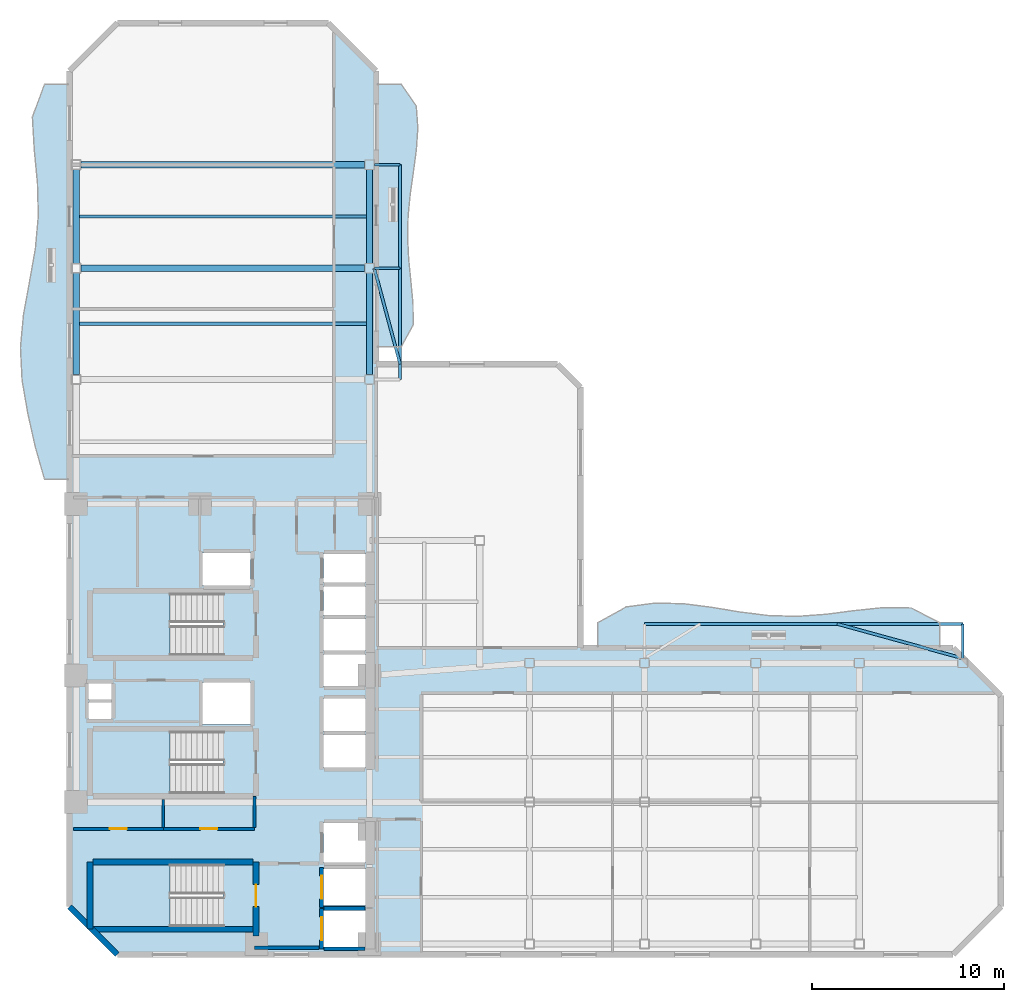
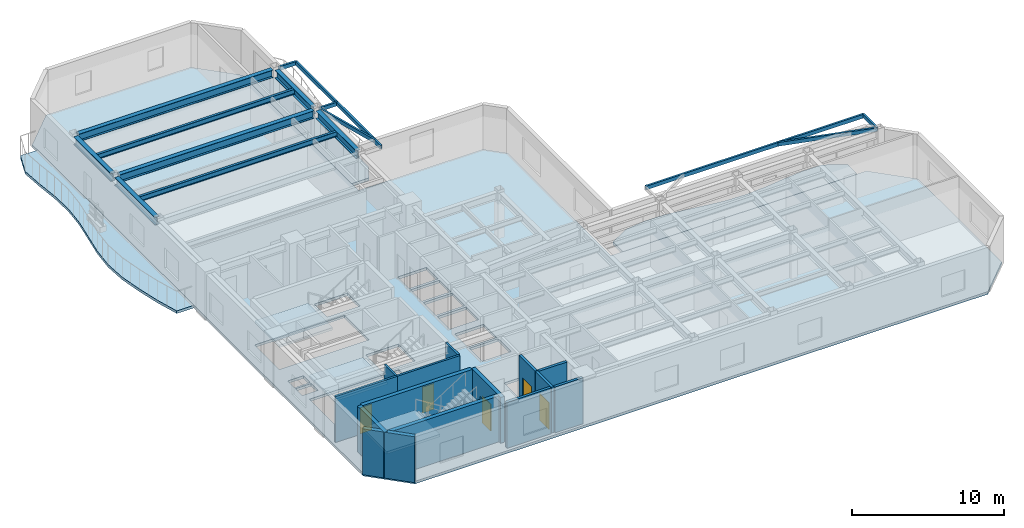
# One storey, part 2 of 9: 16 beams, 14 walls, 7 slabs, 5 doors, 5 openings, 3 elements without a shape of their own.
"""IFC4 building model written with IfcOpenShell, lengths in metres."""

from ifc_helpers import new_model, si_unit, direction, frame, frame_2d, origin, origin_2d, place, context, subcontext, project, spatial, polyline, rectangle, hollow_rectangle, i_section, outline, extrude, material, layer, layer_set, material_profile, profile_set, type_object, element, fill, aggregate, save


model = new_model("IFC4")

# Units and contexts
model_context = context("Model", 3, precision=1e-05, world=origin(), true_north=direction((0.0, 1.0)))
body_context = subcontext(model_context, "Body", "Model", "MODEL_VIEW")
ifc_project = project(units=[si_unit("LENGTHUNIT", "METRE"), si_unit("AREAUNIT", "SQUARE_METRE"), si_unit("VOLUMEUNIT", "CUBIC_METRE"), si_unit("PLANEANGLEUNIT", "RADIAN"), si_unit("MASSUNIT", "GRAM", prefix="KILO")], contexts=[model_context])

# Site, building, storey
site_placement = place(None, origin())
site = spatial("IfcSite", under=ifc_project, at=site_placement, CompositionType="ELEMENT")
building_placement = place(site_placement, origin())
building = spatial("IfcBuilding", under=site, at=building_placement, Name="Mawjaban Terraces University", CompositionType="ELEMENT")
storey_placement = place(building_placement, frame((0.0, 0.0, 111.199951171875)))
storey = spatial("IfcBuildingStorey", under=building, at=storey_placement, Name="L26", CompositionType="ELEMENT", Elevation=111.199951171875)

# Beams
ifc_material_1 = material(Name="Steel EN 10210-1 S355J2H", Category="steel")
ifc_material_profile_1 = material_profile(ifc_material_1, hollow_rectangle(XDim=0.14990234375, YDim=0.300048828125, WallThickness=0.012451171875, at=origin_2d()), Name="RHS300X150X12.5")
ifc_profile_set_1 = profile_set([ifc_material_profile_1], Name="Steel EN 10210-1 S355J2H")
beam_type_1 = type_object("IfcBeamType", Name="BalconyCantileverSpandrel_RHS", PredefinedType="SPANDREL", material=ifc_profile_set_1)
beam_1_placement = place(storey_placement, frame((68.60009765625, 15.449951171875, 3.5400390625), z_axis=(0.0, 1.0, 0.0), x_axis=(-1.0, 0.0, 0.0)))
element("IfcBeam", 1, at=beam_1_placement, inside=storey, type_object=beam_type_1, Name="L26 Exterior Outrigger BAL-L27-N.2", PredefinedType="SPANDREL", context=body_context, shape_type="SweptSolid", body=[
    extrude(hollow_rectangle(XDim=0.14990234375, YDim=0.300048828125, WallThickness=0.012451171875, at=origin_2d()), origin(), (0.0, 0.0, 1.0), 1.800048828125),
])
beam_2_placement = place(storey_placement, frame((52.0, 17.25, 3.5400390625), z_axis=(1.0, 0.0, 0.0), x_axis=(0.0, 1.0, 0.0)))
element("IfcBeam", 2, at=beam_2_placement, inside=storey, type_object=beam_type_1, Name="L26 Exterior Edge Spandrel BAL-L27-N", PredefinedType="SPANDREL", context=body_context, shape_type="SweptSolid", body=[
    extrude(hollow_rectangle(XDim=0.14990234375, YDim=0.300048828125, WallThickness=0.012451171875, at=origin_2d()), origin(), (0.0, 0.0, 1.0), 16.60009765625),
])
beam_3_placement = place(storey_placement, frame((68.60009765625, 15.449951171875, 3.5400390625), z_axis=(-0.964281358669, 0.264880088576, 0.0), x_axis=(-0.264880088576, -0.964281358669, 0.0)))
element("IfcBeam", 3, at=beam_3_placement, inside=storey, type_object=beam_type_1, Name="L26 Exterior Diagonal Strut BAL-L27-N.2", PredefinedType="SPANDREL", context=body_context, shape_type="SweptSolid", body=[
    extrude(hollow_rectangle(XDim=0.14990234375, YDim=0.300048828125, WallThickness=0.012451171875, at=origin_2d()), origin(), (0.0, 0.0, 1.0), 6.795654296875),
])
for number, where, z_axis, x_axis, name in (
    (4, (37.89990234375, 35.800048828125, 3.5400390625), (1.0, 0.0, 0.0), (0.0, 1.0, 0.0), "L26 Exterior Outrigger BAL-L27-E.1"),
    (5, (37.89990234375, 41.199951171875, 3.5400390625), (1.0, 0.0, 0.0), (0.0, 1.0, 0.0), "L26 Exterior Outrigger BAL-L27-E.2"),
):
    element("IfcBeam", number, at=place(storey_placement, frame(where, z_axis=z_axis, x_axis=x_axis)), inside=storey, type_object=beam_type_1, Name=name, PredefinedType="SPANDREL", context=body_context, shape_type="SweptSolid", body=[
        extrude(hollow_rectangle(XDim=0.14990234375, YDim=0.300048828125, WallThickness=0.012451171875, at=origin_2d()), origin(), (0.0, 0.0, 1.0), 1.35009765625),
    ])
beam_4_placement = place(storey_placement, frame((39.25, 35.800048828125, 3.5400390625), z_axis=(0.0, 1.0, 0.0), x_axis=(-1.0, 0.0, 0.0)))
element("IfcBeam", 6, at=beam_4_placement, inside=storey, type_object=beam_type_1, Name="L26 Exterior Edge Spandrel BAL-L27-E", PredefinedType="SPANDREL", context=body_context, shape_type="SweptSolid", body=[
    extrude(hollow_rectangle(XDim=0.14990234375, YDim=0.300048828125, WallThickness=0.012451171875, at=origin_2d()), origin(), (0.0, 0.0, 1.0), 5.39990234375),
])
beam_5_placement = place(storey_placement, frame((39.25, 30.0, 3.5400390625), z_axis=(0.0, 1.0, 0.0), x_axis=(-1.0, 0.0, 0.0)))
element("IfcBeam", 7, at=beam_5_placement, inside=storey, type_object=beam_type_1, Name="L26 Exterior Edge Spandrel TER-L27-CLIMB", PredefinedType="SPANDREL", context=body_context, shape_type="SweptSolid", body=[
    extrude(hollow_rectangle(XDim=0.14990234375, YDim=0.300048828125, WallThickness=0.012451171875, at=origin_2d()), origin(), (0.0, 0.0, 1.0), 5.800048828125),
])
beam_6_placement = place(storey_placement, frame((37.89990234375, 35.800048828125, 3.5400390625), z_axis=(0.260683426993, -0.965424337217, 0.0), x_axis=(0.965424337217, 0.260683426993, 0.0)))
element("IfcBeam", 8, at=beam_6_placement, inside=storey, type_object=beam_type_1, Name="L26 Exterior Diagonal Strut TER-L27-CLIMB.2", PredefinedType="SPANDREL", context=body_context, shape_type="SweptSolid", body=[
    extrude(hollow_rectangle(XDim=0.14990234375, YDim=0.300048828125, WallThickness=0.012451171875, at=origin_2d()), origin(), (0.0, 0.0, 1.0), 5.178955078125),
])
ifc_material_2 = material(Name="Steel ASTM A572 Grade 50", Category="steel")
ifc_material_profile_2 = material_profile(ifc_material_2, i_section(OverallWidth=0.324951171875, OverallDepth=0.615966796875, WebThickness=0.013916015625, FlangeThickness=0.021484375, at=origin_2d()), Name="W610X174")
ifc_profile_set_2 = profile_set([ifc_material_profile_2], Name="Steel ASTM A572 Grade 50")
beam_type_2 = type_object("IfcBeamType", Name="Beam_B_W610X174", PredefinedType="BEAM", material=ifc_profile_set_2)
for number, where, z_axis, x_axis, name in (
    (9, (22.60009765625, 35.800048828125, 3.382080078125), (1.0, 0.0, 0.0), (0.0, 1.0, 0.0), "L26 Beam BM-L26-EW-15"),
    (10, (22.60009765625, 41.199951171875, 3.382080078125), (1.0, 0.0, 0.0), (0.0, 1.0, 0.0), "L26 Beam BM-L26-EW-16"),
):
    element("IfcBeam", number, at=place(storey_placement, frame(where, z_axis=z_axis, x_axis=x_axis)), inside=storey, type_object=beam_type_2, Name=name, PredefinedType="BEAM", context=body_context, shape_type="SweptSolid", body=[
        extrude(i_section(OverallWidth=0.324951171875, OverallDepth=0.615966796875, WebThickness=0.013916015625, FlangeThickness=0.021484375, at=origin_2d()), origin(), (0.0, 0.0, 1.0), 14.7998046875),
    ])
beam_7_placement = place(storey_placement, frame((22.35009765625, 30.25, 3.382080078125), z_axis=(0.0, 1.0, 0.0), x_axis=(-1.0, 0.0, 0.0)))
element("IfcBeam", 11, at=beam_7_placement, inside=storey, type_object=beam_type_2, Name="L26 Beam BM-L26-NS-04", PredefinedType="BEAM", context=body_context, shape_type="SweptSolid", body=[
    extrude(i_section(OverallWidth=0.324951171875, OverallDepth=0.615966796875, WebThickness=0.013916015625, FlangeThickness=0.021484375, at=origin_2d()), origin(), (0.0, 0.0, 1.0), 5.300048828125),
])
beam_8_placement = place(storey_placement, frame((22.35009765625, 36.050048828125, 3.382080078125), z_axis=(0.0, 1.0, 0.0), x_axis=(-1.0, 0.0, 0.0)))
element("IfcBeam", 12, at=beam_8_placement, inside=storey, type_object=beam_type_2, Name="L26 Beam BM-L26-NS-05", PredefinedType="BEAM", context=body_context, shape_type="SweptSolid", body=[
    extrude(i_section(OverallWidth=0.324951171875, OverallDepth=0.615966796875, WebThickness=0.013916015625, FlangeThickness=0.021484375, at=origin_2d()), origin(), (0.0, 0.0, 1.0), 4.89990234375),
])
beam_9_placement = place(storey_placement, frame((37.64990234375, 30.25, 3.382080078125), z_axis=(0.0, 1.0, 0.0), x_axis=(-1.0, 0.0, 0.0)))
element("IfcBeam", 13, at=beam_9_placement, inside=storey, type_object=beam_type_2, Name="L26 Beam BM-L26-NS-10", PredefinedType="BEAM", context=body_context, shape_type="SweptSolid", body=[
    extrude(i_section(OverallWidth=0.324951171875, OverallDepth=0.615966796875, WebThickness=0.013916015625, FlangeThickness=0.021484375, at=origin_2d()), origin(), (0.0, 0.0, 1.0), 5.300048828125),
])
beam_10_placement = place(storey_placement, frame((37.64990234375, 36.050048828125, 3.382080078125), z_axis=(0.0, 1.0, 0.0), x_axis=(-1.0, 0.0, 0.0)))
element("IfcBeam", 14, at=beam_10_placement, inside=storey, type_object=beam_type_2, Name="L26 Beam BM-L26-NS-11", PredefinedType="BEAM", context=body_context, shape_type="SweptSolid", body=[
    extrude(i_section(OverallWidth=0.324951171875, OverallDepth=0.615966796875, WebThickness=0.013916015625, FlangeThickness=0.021484375, at=origin_2d()), origin(), (0.0, 0.0, 1.0), 4.89990234375),
])
ifc_material_profile_3 = material_profile(ifc_material_2, i_section(OverallWidth=0.179931640625, OverallDepth=0.4130859375, WebThickness=0.009765625, FlangeThickness=0.01611328125, at=origin_2d()), Name="W410X74")
ifc_profile_set_3 = profile_set([ifc_material_profile_3], Name="Steel ASTM A572 Grade 50")
beam_type_3 = type_object("IfcBeamType", Name="Beam_J_W410X74", PredefinedType="JOIST", material=ifc_profile_set_3)
for number, where, z_axis, x_axis, name in (
    (15, (22.429931640625, 32.89990234375, 3.483154296875), (1.0, 0.0, 0.0), (0.0, 1.0, 0.0), "L26 Composite Joist JST-L26-19"),
    (16, (22.429931640625, 38.5, 3.483154296875), (1.0, 0.0, 0.0), (0.0, 1.0, 0.0), "L26 Composite Joist JST-L26-20"),
):
    element("IfcBeam", number, at=place(storey_placement, frame(where, z_axis=z_axis, x_axis=x_axis)), inside=storey, type_object=beam_type_3, Name=name, PredefinedType="JOIST", context=body_context, shape_type="SweptSolid", body=[
        extrude(i_section(OverallWidth=0.179931640625, OverallDepth=0.4130859375, WebThickness=0.009765625, FlangeThickness=0.01611328125, at=origin_2d()), origin(), (0.0, 0.0, 1.0), 15.14013671875),
    ])

# Slabs
ifc_material_3 = material(Name="Concrete C40/50", Category="concrete")
ifc_layer_1 = layer(ifc_material_3, 0.2099609375)
ifc_layer_set_1 = layer_set([ifc_layer_1], Name="Concrete C40/50")
slab_type_1 = type_object("IfcSlabType", Name="BalconySlab_210_Ext", PredefinedType="FLOOR", material=ifc_layer_set_1)
slab_1_placement = place(storey_placement, frame((0.0, 0.0, -0.2099609375)))
element("IfcSlab", 17, at=slab_1_placement, inside=storey, type_object=slab_type_1, Name="L26 Planted Balcony Slab west", PredefinedType="FLOOR", context=body_context, shape_type="SweptSolid", body=[
    extrude(outline(polyline([(22.010009765625, 24.800048828125), (22.010009765625, 45.39990234375), (20.699951171875, 45.39990234375), (20.06689453125, 43.68310546875), (20.166015625, 41.967041015625), (20.330078125, 40.25), (20.3759765625, 38.532958984375), (20.221923828125, 36.81689453125), (19.916015625, 35.10009765625), (19.60205078125, 33.383056640625), (19.444091796875, 31.6669921875), (19.529052734375, 29.949951171875), (19.825927734375, 28.23291015625), (20.208984375, 26.51708984375), (20.699951171875, 24.800048828125), (22.010009765625, 24.800048828125)])), origin(), (0.0, 0.0, 1.0), 0.2099609375),
])
slab_2_placement = place(storey_placement, frame((0.0, 0.0, -0.2099609375)))
element("IfcSlab", 18, at=slab_2_placement, inside=storey, type_object=slab_type_1, Name="L26 Planted Balcony Slab inner_north", PredefinedType="FLOOR", context=body_context, shape_type="SweptSolid", body=[
    extrude(outline(polyline([(49.555908203125, 15.989990234375), (67.39990234375, 15.989990234375), (67.39990234375, 17.300048828125), (65.9130859375, 18.077880859375), (64.426025390625, 18.094970703125), (62.93896484375, 17.93994140625), (61.451904296875, 17.748046875), (59.965087890625, 17.639892578125), (58.47802734375, 17.681884765625), (56.990966796875, 17.865966796875), (55.50390625, 18.112060546875), (54.01708984375, 18.302001953125), (52.530029296875, 18.330078125), (51.04296875, 18.135009765625), (49.555908203125, 17.300048828125), (49.555908203125, 15.989990234375)])), origin(), (0.0, 0.0, 1.0), 0.2099609375),
])
slab_3_placement = place(storey_placement, frame((0.0, 0.0, -0.2099609375)))
element("IfcSlab", 19, at=slab_3_placement, inside=storey, type_object=slab_type_1, Name="L26 Planted Balcony Slab inner_east", PredefinedType="FLOOR", context=body_context, shape_type="SweptSolid", body=[
    extrude(outline(polyline([(39.300048828125, 31.699951171875), (39.929931640625, 32.842041015625), (39.91796875, 33.98291015625), (39.80908203125, 35.125), (39.695068359375, 36.26708984375), (39.636962890625, 37.407958984375), (39.6650390625, 38.550048828125), (39.779052734375, 39.69189453125), (39.94189453125, 40.8330078125), (40.095947265625, 41.97509765625), (40.172119140625, 43.116943359375), (40.092041015625, 44.258056640625), (39.300048828125, 45.39990234375), (37.989990234375, 45.39990234375), (37.989990234375, 31.699951171875), (39.300048828125, 31.699951171875)])), origin(), (0.0, 0.0, 1.0), 0.2099609375),
])
ifc_layer_2 = layer(ifc_material_3, 0.2099609375)
ifc_layer_set_2 = layer_set([ifc_layer_2], Name="Concrete C40/50")
slab_type_2 = type_object("IfcSlabType", Name="CompositeSlab_210", PredefinedType="FLOOR", material=ifc_layer_set_2)
slab_4_placement = place(storey_placement, frame((0.0, 0.0, -0.2099609375)))
element("IfcSlab", 20, at=slab_4_placement, inside=storey, type_object=slab_type_2, Name="L26 Primary Structural Slab", PredefinedType="FLOOR", context=body_context, shape_type="SweptSolid", body=[
    extrude(outline(polyline([(24.5, 0.0), (68.10009765625, 0.0), (70.60009765625, 2.5), (70.60009765625, 13.5), (68.10009765625, 16.0), (48.656005859375, 16.0), (48.656005859375, 29.60009765625), (47.4560546875, 30.800048828125), (38.0, 30.800048828125), (38.0, 46.10009765625), (35.5, 48.60009765625), (24.5, 48.60009765625), (22.0, 46.10009765625), (22.0, 2.5), (24.5, 0.0)]), holes=[polyline([(30.014892578125, 4.699951171875), (23.199951171875, 4.699951171875), (23.199951171875, 1.449951171875), (30.014892578125, 1.449951171875), (30.014892578125, 4.699951171875)]), polyline([(30.014892578125, 18.85009765625), (23.199951171875, 18.85009765625), (23.199951171875, 15.60009765625), (30.014892578125, 15.60009765625), (30.014892578125, 18.85009765625)]), polyline([(30.014892578125, 11.64990234375), (23.199951171875, 11.64990234375), (23.199951171875, 8.39990234375), (30.014892578125, 8.39990234375), (30.014892578125, 11.64990234375)]), polyline([(35.25, 0.39990234375), (37.449951171875, 0.39990234375), (37.449951171875, 2.300048828125), (35.25, 2.300048828125), (35.25, 0.39990234375)]), polyline([(35.25, 2.550048828125), (37.449951171875, 2.550048828125), (37.449951171875, 4.449951171875), (35.25, 4.449951171875), (35.25, 2.550048828125)]), polyline([(35.25, 4.800048828125), (37.449951171875, 4.800048828125), (37.449951171875, 6.85009765625), (35.25, 6.85009765625), (35.25, 4.800048828125)]), polyline([(35.25, 9.75), (37.449951171875, 9.75), (37.449951171875, 11.449951171875), (35.25, 11.449951171875), (35.25, 9.75)]), polyline([(35.25, 11.64990234375), (37.449951171875, 11.64990234375), (37.449951171875, 13.35009765625), (35.25, 13.35009765625), (35.25, 11.64990234375)]), polyline([(28.949951171875, 12.0), (31.449951171875, 12.0), (31.449951171875, 14.199951171875), (28.949951171875, 14.199951171875), (28.949951171875, 12.0)]), polyline([(35.25, 14.0), (37.449951171875, 14.0), (37.449951171875, 15.64990234375), (35.25, 15.64990234375), (35.25, 14.0)]), polyline([(35.25, 15.85009765625), (37.449951171875, 15.85009765625), (37.449951171875, 17.5), (35.25, 17.5), (35.25, 15.85009765625)]), polyline([(35.25, 17.699951171875), (37.449951171875, 17.699951171875), (37.449951171875, 19.199951171875), (35.25, 19.199951171875), (35.25, 17.699951171875)]), polyline([(35.25, 19.39990234375), (37.449951171875, 19.39990234375), (37.449951171875, 20.89990234375), (35.25, 20.89990234375), (35.25, 19.39990234375)]), polyline([(28.949951171875, 19.25), (31.449951171875, 19.25), (31.449951171875, 20.949951171875), (28.949951171875, 20.949951171875), (28.949951171875, 19.25)]), polyline([(23.0, 12.25), (24.199951171875, 12.25), (24.199951171875, 13.14990234375), (23.0, 13.14990234375), (23.0, 12.25)]), polyline([(23.0, 13.300048828125), (24.199951171875, 13.300048828125), (24.199951171875, 14.179931640625), (23.0, 14.179931640625), (23.0, 13.300048828125)])]), origin(), (0.0, 0.0, 1.0), 0.2099609375),
])

# Stair, slab
stair_type = type_object("IfcStairType", Name="Stair_Core1550_H39", PredefinedType="HALF_TURN_STAIR", material=ifc_material_3)
stair_1_placement = place(storey_placement, origin())
stair_1 = element("IfcStair", 21, at=stair_1_placement, inside=storey, type_object=stair_type, Name="L26 Core Exit Stair 1", PredefinedType="HALF_TURN_STAIR")
ifc_layer_3 = layer(ifc_material_3, 0.199951171875)
ifc_layer_set_3 = layer_set([ifc_layer_3], Name="Concrete C40/50")
slab_type_3 = type_object("IfcSlabType", Name="StairLandingSlab_200", PredefinedType="LANDING", material=ifc_layer_set_3)
slab_5_placement = place(storey_placement, frame((0.0, 0.0, 1.75)))
slab_5 = element("IfcSlab", 22, at=slab_5_placement, type_object=slab_type_3, Name="ST-1 landing 1", PredefinedType="LANDING", context=body_context, shape_type="SweptSolid", body=[
    extrude(outline(polyline([(27.25, 4.699951171875), (23.199951171875, 4.699951171875), (23.199951171875, 1.449951171875), (27.25, 1.449951171875), (27.25, 4.699951171875)])), origin(), (0.0, 0.0, 1.0), 0.199951171875),
])
aggregate(stair_1, [slab_5])

stair_2_placement = place(storey_placement, origin())
stair_2 = element("IfcStair", 23, at=stair_2_placement, inside=storey, type_object=stair_type, Name="L26 Core Exit Stair 2", PredefinedType="HALF_TURN_STAIR")
slab_6_placement = place(storey_placement, frame((0.0, 0.0, 1.75)))
slab_6 = element("IfcSlab", 24, at=slab_6_placement, type_object=slab_type_3, Name="ST-2 landing 1", PredefinedType="LANDING", context=body_context, shape_type="SweptSolid", body=[
    extrude(outline(polyline([(27.25, 18.85009765625), (23.199951171875, 18.85009765625), (23.199951171875, 15.60009765625), (27.25, 15.60009765625), (27.25, 18.85009765625)])), origin(), (0.0, 0.0, 1.0), 0.199951171875),
])
aggregate(stair_2, [slab_6])

stair_3_placement = place(storey_placement, origin())
stair_3 = element("IfcStair", 25, at=stair_3_placement, inside=storey, type_object=stair_type, Name="L26 Core Exit Stair 3", PredefinedType="HALF_TURN_STAIR")
slab_7_placement = place(storey_placement, frame((0.0, 0.0, 1.75)))
slab_7 = element("IfcSlab", 26, at=slab_7_placement, type_object=slab_type_3, Name="ST-3 landing 1", PredefinedType="LANDING", context=body_context, shape_type="SweptSolid", body=[
    extrude(outline(polyline([(27.25, 11.64990234375), (23.199951171875, 11.64990234375), (23.199951171875, 8.39990234375), (27.25, 8.39990234375), (27.25, 11.64990234375)])), origin(), (0.0, 0.0, 1.0), 0.199951171875),
])
aggregate(stair_3, [slab_7])

# Wall, opening, door
ifc_material_4 = material(Name="Fire-rated gypsum board on steel stud", Category="steel")
ifc_layer_4 = layer(ifc_material_4, 0.159912109375)
ifc_layer_set_4 = layer_set([ifc_layer_4], Name="Fire-rated gypsum board on steel stud")
wall_type_1 = type_object("IfcWallType", Name="CorridorPartition_160", PredefinedType="PARTITIONING", material=ifc_layer_set_4)
wall_1_placement = place(storey_placement, frame((26.89990234375, 6.550048828125, 0.0), z_axis=(0.0, 0.0, 1.0), x_axis=(-1.0, 0.0, 0.0)))
wall_1 = element("IfcWall", 27, at=wall_1_placement, inside=storey, type_object=wall_type_1, Name="L26 Core Washroom Lobby Partition 4", PredefinedType="PARTITIONING", context=body_context, shape_type="SweptSolid", body=[
    extrude(rectangle(XDim=4.699951171875, YDim=0.159912109375, at=frame_2d((2.35009765625, 0.0))), origin(), (0.0, 0.0, 1.0), 3.68994140625),
])
opening_1_placement = place(wall_1_placement, frame((1.909912109375, 0.0, 0.0)))
opening_1 = element("IfcOpeningElement", 28, at=opening_1_placement, cuts=wall_1, Name="Opening ID-088", PredefinedType="OPENING", context=body_context, shape_type="SweptSolid", body=[
    extrude(rectangle(XDim=0.8798828125, YDim=2.10009765625, at=frame_2d((0.43994140625, 1.050048828125))), frame((0.0, 0.08984375, 0.0), z_axis=(0.0, -1.0, 0.0), x_axis=(1.0, 0.0, 0.0)), (0.0, 0.0, 1.0), 0.179931640625),
])
ifc_material_5 = material(Name="Powder-coated steel frame and solid acoustic timber leaf", Category="steel")
door_type_1 = type_object("IfcDoorType", Name="ToiletDoor_880x2100", OperationType="NOTDEFINED", PredefinedType="DOOR", material=ifc_material_5)
door_1_placement = place(opening_1_placement, origin())
door_1 = element("IfcDoor", 29, at=door_1_placement, inside=storey, type_object=door_type_1, Name="L26 Male Toilet Door", OperationType="SINGLE_SWING_LEFT", OverallHeight=2.10009765625, OverallWidth=0.8798828125, PredefinedType="DOOR", context=body_context, shape_type="SweptSolid", body=[
    extrude(rectangle(XDim=0.8798828125, YDim=2.10009765625, at=frame_2d((0.43994140625, 1.050048828125))), frame((0.0, 0.02490234375, 0.0), z_axis=(0.0, -1.0, 0.0), x_axis=(1.0, 0.0, 0.0)), (0.0, 0.0, 1.0), 0.050048828125),
])
fill(opening_1, door_1)

wall_2_placement = place(storey_placement, frame((31.64990234375, 6.550048828125, 0.0), z_axis=(0.0, 0.0, 1.0), x_axis=(-1.0, 0.0, 0.0)))
wall_2 = element("IfcWall", 30, at=wall_2_placement, inside=storey, type_object=wall_type_1, Name="L26 Core Washroom Lobby Partition 7", PredefinedType="PARTITIONING", context=body_context, shape_type="SweptSolid", body=[
    extrude(rectangle(XDim=4.75, YDim=0.159912109375, at=frame_2d((2.375, 0.0))), origin(), (0.0, 0.0, 1.0), 3.68994140625),
])
opening_2_placement = place(wall_2_placement, frame((1.93505859375, 0.0, 0.0)))
opening_2 = element("IfcOpeningElement", 31, at=opening_2_placement, cuts=wall_2, Name="Opening ID-088", PredefinedType="OPENING", context=body_context, shape_type="SweptSolid", body=[
    extrude(rectangle(XDim=0.8798828125, YDim=2.10009765625, at=frame_2d((0.43994140625, 1.050048828125))), frame((0.0, 0.08984375, 0.0), z_axis=(0.0, -1.0, 0.0), x_axis=(1.0, 0.0, 0.0)), (0.0, 0.0, 1.0), 0.179931640625),
])
door_2_placement = place(opening_2_placement, origin())
door_2 = element("IfcDoor", 32, at=door_2_placement, inside=storey, type_object=door_type_1, Name="L26 Accessible Toilet Door", OperationType="SINGLE_SWING_RIGHT", OverallHeight=2.10009765625, OverallWidth=0.8798828125, PredefinedType="DOOR", context=body_context, shape_type="SweptSolid", body=[
    extrude(rectangle(XDim=0.8798828125, YDim=2.10009765625, at=frame_2d((0.43994140625, 1.050048828125))), frame((0.0, 0.02490234375, 0.0), z_axis=(0.0, -1.0, 0.0), x_axis=(1.0, 0.0, 0.0)), (0.0, 0.0, 1.0), 0.050048828125),
])
fill(opening_2, door_2)

# Walls
wall_3_placement = place(storey_placement, frame((31.64990234375, 8.239990234375, 0.0), z_axis=(0.0, 0.0, 1.0), x_axis=(0.0, -1.0, 0.0)))
element("IfcWall", 33, at=wall_3_placement, inside=storey, type_object=wall_type_1, Name="L26 Passenger Lift Lobby Partition 29", PredefinedType="PARTITIONING", context=body_context, shape_type="SweptSolid", body=[
    extrude(rectangle(XDim=1.614990234375, YDim=0.159912109375, at=frame_2d((0.8076171875, 0.0))), origin(), (0.0, 0.0, 1.0), 3.68994140625),
])
ifc_material_6 = material(Name="Insulated terracotta rainscreen on concrete backup C40/50", Category="masonry")
ifc_layer_5 = layer(ifc_material_6, 0.300048828125)
ifc_layer_set_5 = layer_set([ifc_layer_5], Name="Insulated terracotta rainscreen on concrete backup C40/50")
wall_type_2 = type_object("IfcWallType", Name="ExtTerracottaWall_300", PredefinedType="SOLIDWALL", material=ifc_layer_set_5)
wall_4_placement = place(storey_placement, frame((22.0, 2.5, 0.0), z_axis=(0.0, 0.0, 1.0), x_axis=(0.707106781187, -0.707106781187, 0.0)))
element("IfcWall", 34, at=wall_4_placement, inside=storey, type_object=wall_type_2, Name="L26 Exterior Terracotta Wall 14", PredefinedType="SOLIDWALL", context=body_context, shape_type="SweptSolid", body=[
    extrude(rectangle(XDim=3.53564453125, YDim=0.300048828125, at=frame_2d((1.767822265625, 0.0))), origin(), (0.0, 0.0, 1.0), 3.68994140625),
])

# Wall, opening, door
ifc_layer_6 = layer(ifc_material_3, 0.199951171875)
ifc_layer_set_6 = layer_set([ifc_layer_6], Name="Concrete C40/50")
wall_type_3 = type_object("IfcWallType", Name="FireLobbyWall_200", PredefinedType="SOLIDWALL", material=ifc_layer_set_6)
wall_5_placement = place(storey_placement, frame((35.14990234375, 2.39990234375, 0.0), z_axis=(0.0, 0.0, 1.0), x_axis=(0.0, -1.0, 0.0)))
wall_5 = element("IfcWall", 35, at=wall_5_placement, inside=storey, type_object=wall_type_3, Name="L26 Lift FL-1 Hoistway Wall West", PredefinedType="SOLIDWALL", context=body_context, shape_type="SweptSolid", body=[
    extrude(rectangle(XDim=2.099853515625, YDim=0.199951171875, at=frame_2d((1.0498046875, 0.0))), origin(), (0.0, 0.0, 1.0), 3.68994140625),
])
opening_3_placement = place(wall_5_placement, frame((0.449951171875, 0.0, 0.0)))
opening_3 = element("IfcOpeningElement", 36, at=opening_3_placement, cuts=wall_5, Name="Opening LD-FL-1", PredefinedType="OPENING", context=body_context, shape_type="SweptSolid", body=[
    extrude(rectangle(XDim=1.199951171875, YDim=2.14990234375, at=frame_2d((0.60009765625, 1.074951171875))), frame((0.0, 0.10986328125, 0.0), z_axis=(0.0, -1.0, 0.0), x_axis=(1.0, 0.0, 0.0)), (0.0, 0.0, 1.0), 0.219970703125),
])
ifc_material_7 = material(Name="Powder-coated steel frame and fire-rated steel-faced leaf", Category="steel")
door_type_2 = type_object("IfcDoorType", Name="LiftLandingFSAE_1200x2150", OperationType="NOTDEFINED", PredefinedType="DOOR", material=ifc_material_7)
door_3_placement = place(opening_3_placement, origin())
door_3 = element("IfcDoor", 37, at=door_3_placement, inside=storey, type_object=door_type_2, Name="L26 Lift FL-1 Sliding Landing Door", OperationType="DOUBLE_DOOR_SLIDING", OverallHeight=2.14990234375, OverallWidth=1.199951171875, PredefinedType="DOOR", context=body_context, shape_type="SweptSolid", body=[
    extrude(rectangle(XDim=1.199951171875, YDim=2.14990234375, at=frame_2d((0.60009765625, 1.074951171875))), frame((0.0, 0.02490234375, 0.0), z_axis=(0.0, -1.0, 0.0), x_axis=(1.0, 0.0, 0.0)), (0.0, 0.0, 1.0), 0.050048828125),
])
fill(opening_3, door_3)

# Walls
for number, where, z_axis, x_axis, name in (
    (38, (35.280029296875, 0.300048828125, 0.0), (0.0, 0.0, 1.0), (1.0, 0.0, 0.0), "L26 Lift FL-1 Hoistway Wall South"),
    (39, (37.419921875, 2.39990234375, 0.0), (0.0, 0.0, 1.0), (-1.0, 0.0, 0.0), "L26 Lift FL-1 Hoistway Wall North"),
):
    element("IfcWall", number, at=place(storey_placement, frame(where, z_axis=z_axis, x_axis=x_axis)), inside=storey, type_object=wall_type_3, Name=name, PredefinedType="SOLIDWALL", context=body_context, shape_type="SweptSolid", body=[
        extrude(rectangle(XDim=2.139892578125, YDim=0.199951171875, at=frame_2d((1.06982421875, 0.0))), origin(), (0.0, 0.0, 1.0), 3.68994140625),
    ])

# Wall, opening, door
wall_6_placement = place(storey_placement, frame((35.14990234375, 4.550048828125, 0.0), z_axis=(0.0, 0.0, 1.0), x_axis=(0.0, -1.0, 0.0)))
wall_6 = element("IfcWall", 40, at=wall_6_placement, inside=storey, type_object=wall_type_3, Name="L26 Lift FL-2 Hoistway Wall West", PredefinedType="SOLIDWALL", context=body_context, shape_type="SweptSolid", body=[
    extrude(rectangle(XDim=2.10009765625, YDim=0.199951171875, at=frame_2d((1.050048828125, 0.0))), origin(), (0.0, 0.0, 1.0), 3.68994140625),
])
opening_4_placement = place(wall_6_placement, frame((0.449951171875, 0.0, 0.0)))
opening_4 = element("IfcOpeningElement", 41, at=opening_4_placement, cuts=wall_6, Name="Opening LD-FL-2", PredefinedType="OPENING", context=body_context, shape_type="SweptSolid", body=[
    extrude(rectangle(XDim=1.199951171875, YDim=2.14990234375, at=frame_2d((0.60009765625, 1.074951171875))), frame((0.0, 0.10986328125, 0.0), z_axis=(0.0, -1.0, 0.0), x_axis=(1.0, 0.0, 0.0)), (0.0, 0.0, 1.0), 0.219970703125),
])
door_4_placement = place(opening_4_placement, origin())
door_4 = element("IfcDoor", 42, at=door_4_placement, inside=storey, type_object=door_type_2, Name="L26 Lift FL-2 Sliding Landing Door", OperationType="DOUBLE_DOOR_SLIDING", OverallHeight=2.14990234375, OverallWidth=1.199951171875, PredefinedType="DOOR", context=body_context, shape_type="SweptSolid", body=[
    extrude(rectangle(XDim=1.199951171875, YDim=2.14990234375, at=frame_2d((0.60009765625, 1.074951171875))), frame((0.0, 0.02490234375, 0.0), z_axis=(0.0, -1.0, 0.0), x_axis=(1.0, 0.0, 0.0)), (0.0, 0.0, 1.0), 0.050048828125),
])
fill(opening_4, door_4)

# Walls
wall_7_placement = place(storey_placement, frame((31.64990234375, 0.35009765625, 0.0), z_axis=(0.0, 0.0, 1.0), x_axis=(1.0, 0.0, 0.0)))
element("IfcWall", 43, at=wall_7_placement, inside=storey, type_object=wall_type_3, Name="L26 Firefighting Lift Lobby Partition 6", PredefinedType="SOLIDWALL", context=body_context, shape_type="SweptSolid", body=[
    extrude(rectangle(XDim=3.3701171875, YDim=0.199951171875, at=frame_2d((1.68505859375, 0.0))), origin(), (0.0, 0.0, 1.0), 3.68994140625),
])
ifc_material_8 = material(Name="Concrete C60/75", Category="concrete")
ifc_layer_7 = layer(ifc_material_8, 0.300048828125)
ifc_layer_set_7 = layer_set([ifc_layer_7], Name="Concrete C60/75")
wall_type_4 = type_object("IfcWallType", Name="StairShaftWall_300", PredefinedType="SHEAR", material=ifc_layer_set_7)
wall_8_placement = place(storey_placement, frame((31.580078125, 4.830078125, 0.0), z_axis=(0.0, 0.0, 1.0), x_axis=(-1.0, 0.0, 0.0)))
element("IfcWall", 44, at=wall_8_placement, inside=storey, type_object=wall_type_4, Name="L26 ST-1 Stair Shaft Wall 1", PredefinedType="SHEAR", context=body_context, shape_type="SweptSolid", body=[
    extrude(rectangle(XDim=8.360107421875, YDim=0.300048828125, at=frame_2d((4.18017578125, 0.0))), origin(), (0.0, 0.0, 1.0), 3.68994140625),
])
wall_9_placement = place(storey_placement, frame((23.070068359375, 4.830078125, 0.0), z_axis=(0.0, 0.0, 1.0), x_axis=(0.0, -1.0, 0.0)))
element("IfcWall", 45, at=wall_9_placement, inside=storey, type_object=wall_type_4, Name="L26 ST-1 Stair Shaft Wall 2", PredefinedType="SHEAR", context=body_context, shape_type="SweptSolid", body=[
    extrude(rectangle(XDim=3.510009765625, YDim=0.300048828125, at=frame_2d((1.7548828125, 0.0))), origin(), (0.0, 0.0, 1.0), 3.68994140625),
])
wall_10_placement = place(storey_placement, frame((23.219970703125, 1.320068359375, 0.0), z_axis=(0.0, 0.0, 1.0), x_axis=(1.0, 0.0, 0.0)))
element("IfcWall", 46, at=wall_10_placement, inside=storey, type_object=wall_type_4, Name="L26 ST-1 Stair Shaft Wall 3", PredefinedType="SHEAR", context=body_context, shape_type="SweptSolid", body=[
    extrude(rectangle(XDim=8.360107421875, YDim=0.300048828125, at=frame_2d((4.18017578125, 0.0))), origin(), (0.0, 0.0, 1.0), 3.68994140625),
])

# Wall, opening, door
wall_11_placement = place(storey_placement, frame((31.72998046875, 0.9599609375, 0.0), z_axis=(0.0, 0.0, 1.0), x_axis=(0.0, 1.0, 0.0)))
wall_11 = element("IfcWall", 47, at=wall_11_placement, inside=storey, type_object=wall_type_4, Name="L26 ST-1 Stair Shaft Wall 4", PredefinedType="SHEAR", context=body_context, shape_type="SweptSolid", body=[
    extrude(rectangle(XDim=3.8701171875, YDim=0.300048828125, at=frame_2d((1.93505859375, 0.0))), origin(), (0.0, 0.0, 1.0), 3.68994140625),
])
opening_5_placement = place(wall_11_placement, frame((1.5400390625, 0.0, 0.0)))
opening_5 = element("IfcOpeningElement", 48, at=opening_5_placement, cuts=wall_11, Name="Opening FD-115", PredefinedType="OPENING", context=body_context, shape_type="SweptSolid", body=[
    extrude(rectangle(XDim=1.14990234375, YDim=2.14990234375, at=frame_2d((0.574951171875, 1.074951171875))), frame((0.0, 0.159912109375, 0.0), z_axis=(0.0, -1.0, 0.0), x_axis=(1.0, 0.0, 0.0)), (0.0, 0.0, 1.0), 0.320068359375),
])
door_type_3 = type_object("IfcDoorType", Name="FireStairDoor_1150x2150", OperationType="NOTDEFINED", PredefinedType="DOOR", material=ifc_material_7)
door_5_placement = place(opening_5_placement, origin())
door_5 = element("IfcDoor", 49, at=door_5_placement, inside=storey, type_object=door_type_3, Name="L26 ST-1 Pressurised Stair Fire Door", OperationType="SINGLE_SWING_RIGHT", OverallHeight=2.14990234375, OverallWidth=1.14990234375, PredefinedType="DOOR", context=body_context, shape_type="SweptSolid", body=[
    extrude(rectangle(XDim=1.14990234375, YDim=2.14990234375, at=frame_2d((0.574951171875, 1.074951171875))), frame((0.0, 0.02490234375, 0.0), z_axis=(0.0, -1.0, 0.0), x_axis=(1.0, 0.0, 0.0)), (0.0, 0.0, 1.0), 0.050048828125),
])
fill(opening_5, door_5)

# Wall
ifc_material_9 = material(Name="Cement-board wet-room partition", Category="masonry")
ifc_layer_8 = layer(ifc_material_9, 0.135009765625)
ifc_layer_set_8 = layer_set([ifc_layer_8], Name="Cement-board wet-room partition")
wall_type_5 = type_object("IfcWallType", Name="WetRoomPartition_135", PredefinedType="PARTITIONING", material=ifc_layer_set_8)
wall_12_placement = place(storey_placement, frame((26.89990234375, 6.625, 0.0), z_axis=(0.0, 0.0, 1.0), x_axis=(0.0, 1.0, 0.0)))
element("IfcWall", 50, at=wall_12_placement, inside=storey, type_object=wall_type_5, Name="L26 Male Toilet Partition 27", PredefinedType="PARTITIONING", context=body_context, shape_type="SweptSolid", body=[
    extrude(rectangle(XDim=1.465087890625, YDim=0.135009765625, at=frame_2d((0.732421875, 0.0))), origin(), (0.0, 0.0, 1.0), 3.68994140625),
])

save(model, "model.ifc")
